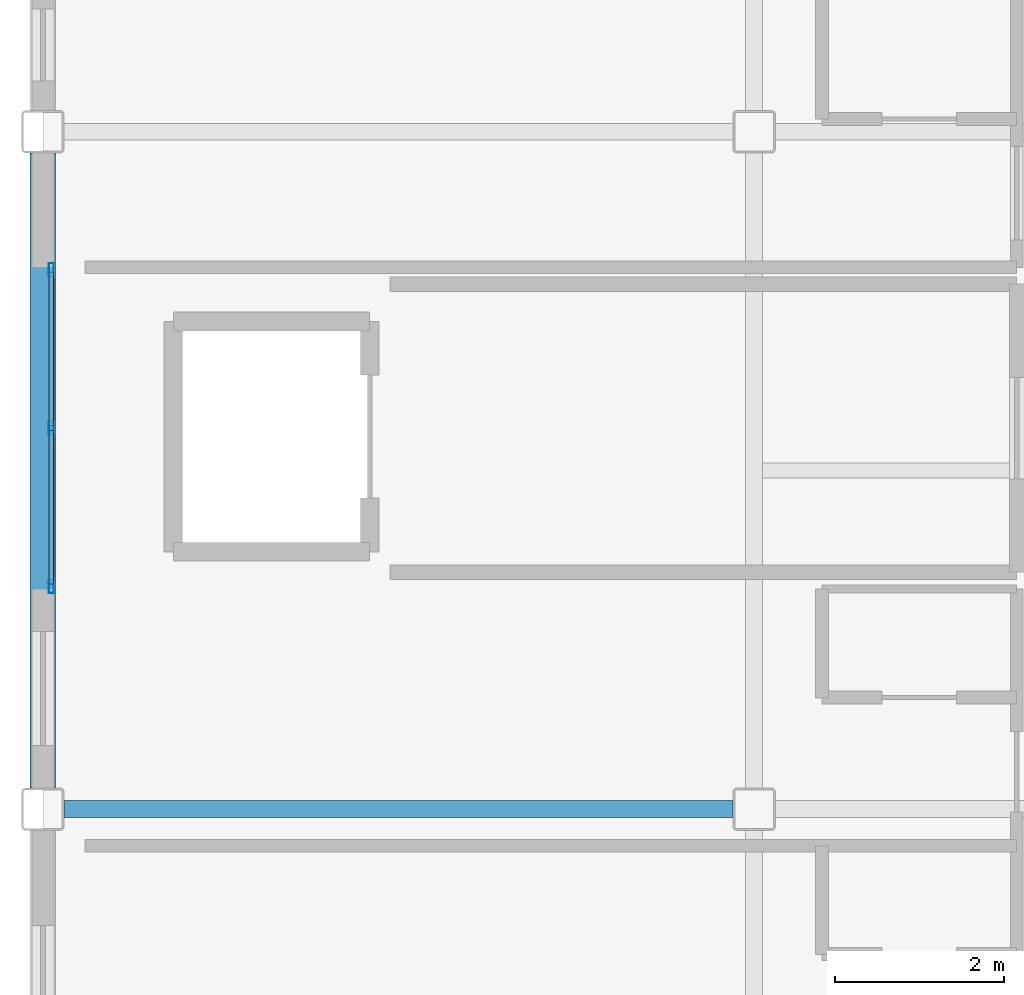
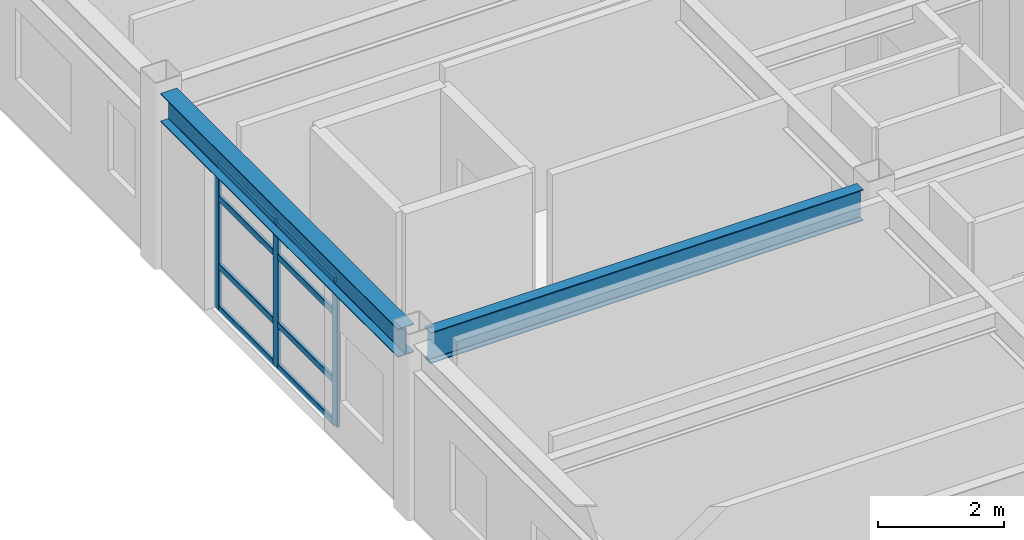
# One storey, part 8 of 33: 11 members, 2 beams, 1 element without a shape of its own.
"""IFC4 building model written with IfcOpenShell, lengths in metres."""

import ifcopenshell
import ifcopenshell.guid

model = None  # the IFC model being written
_history = None  # IfcOwnerHistory: only IFC2X3 demands one
_inside = {}  # id of a spatial element -> (the spatial element, [elements in it])
_under = {}  # id of a project, library or spatial element -> (it, [spatial elements below it])
_declared = {}  # id of a project -> (the project, [libraries it declares])
_typed = {}  # id of a type object -> (the type object, [elements of that type])
_made_of = {}  # id of a material, layer set ... -> (it, [elements and type objects made of it])


def new_model(schema):
    """Start an empty IFC model of exactly this schema.

    Asked for "IFC4X3", IfcOpenShell would pick the latest addendum, in which some entities
    have other attributes; the version numbers below select the first issue.
    IFC2X3 requires an IfcOwnerHistory on every rooted entity: one is made here for all.
    """
    global model, _history
    if schema == "IFC4X3":
        model = ifcopenshell.file(schema_version=(4, 3, 0, 0))
    else:
        model = ifcopenshell.file(schema=schema)
    _inside.clear()
    _under.clear()
    _declared.clear()
    _typed.clear()
    _made_of.clear()
    _history = None
    if model.schema == "IFC2X3":
        org = make("IfcOrganization", Name="unknown")
        user = make(
            "IfcPersonAndOrganization",
            ThePerson=make("IfcPerson", FamilyName="unknown"),
            TheOrganization=org,
        )
        app = make(
            "IfcApplication",
            ApplicationDeveloper=org,
            Version="unknown",
            ApplicationFullName="unknown",
            ApplicationIdentifier="unknown",
        )
        _history = make(
            "IfcOwnerHistory",
            OwningUser=user,
            OwningApplication=app,
            ChangeAction="ADDED",
            CreationDate=0,
        )
    return model


def make(cls, **values):
    """One entity of the class cls with the attributes given. An attribute that is None is left unset."""
    return model.create_entity(
        cls, **{name: value for name, value in values.items() if value is not None}
    )


def rooted(cls, **values):
    """An entity with a GlobalId (a new one), such as an element, a storey or a relation."""
    return make(cls, GlobalId=ifcopenshell.guid.new(), OwnerHistory=_history, **values)


def si_unit(unit_type, name, prefix=None):
    """IfcSIUnit, for example si_unit("LENGTHUNIT", "METRE", prefix="MILLI")."""
    return make("IfcSIUnit", UnitType=unit_type, Prefix=prefix, Name=name)


def assignment(units):
    """IfcUnitAssignment: the units of a project."""
    return None if units is None else make("IfcUnitAssignment", Units=units)


def point(xyz):
    """IfcCartesianPoint."""
    return None if xyz is None else make("IfcCartesianPoint", Coordinates=xyz)


def direction(xyz):
    """IfcDirection."""
    return None if xyz is None else make("IfcDirection", DirectionRatios=xyz)


def frame(location, z_axis=None, x_axis=None):
    """IfcAxis2Placement3D, a coordinate frame: its origin and axes. An axis left out is left unset."""
    return make(
        "IfcAxis2Placement3D",
        Location=point(location),
        Axis=direction(z_axis),
        RefDirection=direction(x_axis),
    )


def frame_2d(location, x_axis=None):
    """IfcAxis2Placement2D, a coordinate frame in the plane: its origin and x axis."""
    return make(
        "IfcAxis2Placement2D", Location=point(location), RefDirection=direction(x_axis)
    )


def origin():
    """The frame at (0, 0, 0) with its axes left unset."""
    return frame((0.0, 0.0, 0.0))


def origin_2d():
    """The frame at (0, 0) in the plane with its x axis left unset."""
    return frame_2d((0.0, 0.0))


def place(relative_to, where):
    """IfcLocalPlacement: puts the frame where relative to a parent placement (None: the world)."""
    return make(
        "IfcLocalPlacement", PlacementRelTo=relative_to, RelativePlacement=where
    )


def context(
    kind, dimensions, precision=None, world=None, true_north=None, identifier=None
):
    """IfcGeometricRepresentationContext, for example the 3D "Model" context."""
    return make(
        "IfcGeometricRepresentationContext",
        ContextIdentifier=identifier,
        ContextType=kind,
        CoordinateSpaceDimension=dimensions,
        Precision=precision,
        WorldCoordinateSystem=world,
        TrueNorth=true_north,
    )


def subcontext(parent, identifier, kind, view, scale=None):
    """IfcGeometricRepresentationSubContext, for example "Body" below "Model"."""
    return make(
        "IfcGeometricRepresentationSubContext",
        ContextIdentifier=identifier,
        ContextType=kind,
        ParentContext=parent,
        TargetScale=scale,
        TargetView=view,
    )


def project(units=None, contexts=None):
    """IfcProject with its units and contexts."""
    return rooted(
        "IfcProject",
        Name="project",
        RepresentationContexts=contexts,
        UnitsInContext=assignment(units),
    )


def spatial(cls, under=None, at=None, **own):
    """A site, building, storey or space (cls), placed at a placement, below another one or the project."""
    s = rooted(cls, ObjectPlacement=at, **own)
    if under is not None:
        _under.setdefault(under.id(), (under, []))[1].append(s)
    return s


def profile(cls, at=None, kind="AREA", **sizes):
    """A parametric profile (cls). Its sizes go by their IFC names, for example OverallWidth=200.0."""
    return make(cls, ProfileType=kind, Position=at, **sizes)


def hollow_rectangle(**sizes):
    """IfcRectangleHollowProfileDef."""
    return profile("IfcRectangleHollowProfileDef", **sizes)


def i_section(**sizes):
    """IfcIShapeProfileDef."""
    return profile("IfcIShapeProfileDef", **sizes)


def extrude(swept, where, along, depth):
    """IfcExtrudedAreaSolid: the profile swept, set in the frame where, extruded along a direction by depth."""
    return make(
        "IfcExtrudedAreaSolid",
        SweptArea=swept,
        Position=where,
        ExtrudedDirection=direction(along),
        Depth=depth,
    )


def shape(context_of_items, identifier, shape_type, items):
    """IfcShapeRepresentation: the items that make up one representation, for example the "Body"."""
    return make(
        "IfcShapeRepresentation",
        ContextOfItems=context_of_items,
        RepresentationIdentifier=identifier,
        RepresentationType=shape_type,
        Items=items,
    )


def material(Name=None, Category=None):
    """IfcMaterial."""
    return make("IfcMaterial", Name=Name, Category=Category)


def layer(
    of_material, thickness, ventilated=None, Name=None, Category=None, Priority=None
):
    """IfcMaterialLayer: one layer of a wall or slab, of a material (None: an air gap)."""
    return make(
        "IfcMaterialLayer",
        Material=of_material,
        LayerThickness=thickness,
        IsVentilated=ventilated,
        Name=Name,
        Category=Category,
        Priority=Priority,
    )


def layer_set(layers, Name=None):
    """IfcMaterialLayerSet."""
    return make("IfcMaterialLayerSet", MaterialLayers=layers, LayerSetName=Name)


def material_profile(
    of_material, cross_section, Name=None, Category=None, Priority=None
):
    """IfcMaterialProfile: a cross section and its material."""
    return make(
        "IfcMaterialProfile",
        Name=Name,
        Material=of_material,
        Profile=cross_section,
        Priority=Priority,
        Category=Category,
    )


def profile_set(profiles, Name=None, composite=None):
    """IfcMaterialProfileSet."""
    return make(
        "IfcMaterialProfileSet",
        Name=Name,
        MaterialProfiles=profiles,
        CompositeProfile=composite,
    )


def made_of(thing, what):
    """Note that an element or type object is made of a material, layer set ...; save() writes the relation."""
    if what is not None:
        _made_of.setdefault(what.id(), (what, []))[1].append(thing)
    return thing


def type_object(cls, material=None, **own):
    """A type object (cls), such as IfcWallType, which elements share."""
    return made_of(rooted(cls, **own), material)


def element(
    cls,
    number,
    at=None,
    inside=None,
    cuts=None,
    type_object=None,
    material=None,
    context=None,
    identifier="Body",
    shape_type=None,
    held_by="IfcProductDefinitionShape",
    body=None,
    shapes=None,
    **own,
):
    """One element of the class cls, such as IfcWall. Its Tag is "e" and its number.

    at: its placement. inside: the storey or other place that contains it. cuts: it is an
    opening in that element (IfcRelVoidsElement). A single representation is given by context,
    identifier, shape_type and body (its items); several are given by shapes. held_by: the class
    of the entity that holds the representations. save() writes the other relations.
    """
    e = rooted(cls, Tag="e%d" % number, ObjectPlacement=at, **own)
    if body is not None:
        shapes = [shape(context, identifier, shape_type, body)]
    if shapes is not None:
        e.Representation = make(held_by, Representations=shapes)
    if inside is not None:
        _inside.setdefault(inside.id(), (inside, []))[1].append(e)
    if cuts is not None:
        rooted(
            "IfcRelVoidsElement", RelatingBuildingElement=cuts, RelatedOpeningElement=e
        )
    if type_object is not None:
        _typed.setdefault(type_object.id(), (type_object, []))[1].append(e)
    return made_of(e, material)


def aggregate(whole, parts):
    """IfcRelAggregates: a whole, such as a stair, and the parts it consists of."""
    return rooted("IfcRelAggregates", RelatingObject=whole, RelatedObjects=parts)


def save(model, path):
    """Write the relations noted so far, then the file.

    IfcRelAggregates (storeys below a building ...), IfcRelContainedInSpatialStructure (elements
    in a storey), IfcRelDefinesByType, IfcRelAssociatesMaterial and IfcRelDeclares: one each for
    every whole, place, type object, material and project.
    """
    for whole, parts in _under.values():
        aggregate(whole, parts)
    for where, things in _inside.values():
        rooted(
            "IfcRelContainedInSpatialStructure",
            RelatedElements=things,
            RelatingStructure=where,
        )
    for kind, things in _typed.values():
        rooted("IfcRelDefinesByType", RelatedObjects=things, RelatingType=kind)
    for what, things in _made_of.values():
        rooted("IfcRelAssociatesMaterial", RelatedObjects=things, RelatingMaterial=what)
    for by, libraries in _declared.values():
        rooted("IfcRelDeclares", RelatingContext=by, RelatedDefinitions=libraries)
    model.write(path)


model = new_model("IFC4")

# Units and contexts
model_context = context("Model", 3, precision=1e-05, world=origin(), true_north=direction((0.0, 1.0)))
body_context = subcontext(model_context, "Body", "Model", "MODEL_VIEW")
ifc_project = project(units=[si_unit("LENGTHUNIT", "METRE"), si_unit("AREAUNIT", "SQUARE_METRE"), si_unit("VOLUMEUNIT", "CUBIC_METRE"), si_unit("PLANEANGLEUNIT", "RADIAN"), si_unit("MASSUNIT", "GRAM", prefix="KILO")], contexts=[model_context])

# Site, building, storey
site_placement = place(None, origin())
site = spatial("IfcSite", under=ifc_project, at=site_placement, CompositionType="ELEMENT")
building_placement = place(site_placement, origin())
building = spatial("IfcBuilding", under=site, at=building_placement, Name="Kazehara Bluff Congress Hotel", CompositionType="ELEMENT")
storey_placement = place(building_placement, frame((0.0, 0.0, 39.0)))
storey = spatial("IfcBuildingStorey", under=building, at=storey_placement, Name="L09", CompositionType="ELEMENT", Elevation=39.0)

# Curtain wall, members
ifc_material_1 = material(Name="Anodised aluminium", Category="aluminium")
ifc_layer = layer(ifc_material_1, 0.159912109375)
ifc_layer_set = layer_set([ifc_layer], Name="Anodised aluminium")
curtain_wall_type = type_object("IfcCurtainWallType", Name="TP-CW-176", PredefinedType="NOTDEFINED", material=ifc_layer_set)
curtain_wall_placement = place(storey_placement, origin())
curtain_wall = element("IfcCurtainWall", 1, at=curtain_wall_placement, inside=storey, type_object=curtain_wall_type, Name="L09 curtain wall CW-176 CW-ENC-V5-L09-14380-2850", PredefinedType="NOTDEFINED")
ifc_material_2 = material(Name="Anodised aluminium", Category="aluminium")
ifc_material_profile_1 = material_profile(ifc_material_2, hollow_rectangle(XDim=0.06005859375, YDim=0.159912109375, WallThickness=0.00390625, InnerFilletRadius=0.00390625, OuterFilletRadius=0.008056640625, at=origin_2d()))
ifc_profile_set_1 = profile_set([ifc_material_profile_1], Name="Anodised aluminium")
member_type_1 = type_object("IfcMemberType", Name="TP-CWM-01", PredefinedType="MULLION", material=ifc_profile_set_1)
member_1_placement = place(storey_placement, frame((143.800048828125, 26.6298828125, 0.0), z_axis=(0.0, 0.0, 1.0), x_axis=(-1.0, 0.0, 0.0)))
member_1 = element("IfcMember", 2, at=member_1_placement, type_object=member_type_1, Name="CW-176 mullion 1", PredefinedType="MULLION", context=body_context, shape_type="SweptSolid", body=[
    extrude(hollow_rectangle(XDim=0.06005859375, YDim=0.159912109375, WallThickness=0.00390625, InnerFilletRadius=0.00390625, OuterFilletRadius=0.008056640625, at=origin_2d()), origin(), (0.0, 0.0, 1.0), 2.804931640625),
])
member_2_placement = place(storey_placement, frame((143.800048828125, 28.5, 0.0), z_axis=(0.0, 0.0, 1.0), x_axis=(-1.0, 0.0, 0.0)))
member_2 = element("IfcMember", 3, at=member_2_placement, type_object=member_type_1, Name="CW-176 mullion 2", PredefinedType="MULLION", context=body_context, shape_type="SweptSolid", body=[
    extrude(hollow_rectangle(XDim=0.06005859375, YDim=0.159912109375, WallThickness=0.00390625, InnerFilletRadius=0.00390625, OuterFilletRadius=0.008056640625, at=origin_2d()), origin(), (0.0, 0.0, 1.0), 2.804931640625),
])
member_3_placement = place(storey_placement, frame((143.800048828125, 30.3701171875, 0.0), z_axis=(0.0, 0.0, 1.0), x_axis=(-1.0, 0.0, 0.0)))
member_3 = element("IfcMember", 4, at=member_3_placement, type_object=member_type_1, Name="CW-176 mullion 3", PredefinedType="MULLION", context=body_context, shape_type="SweptSolid", body=[
    extrude(hollow_rectangle(XDim=0.06005859375, YDim=0.159912109375, WallThickness=0.00390625, InnerFilletRadius=0.00390625, OuterFilletRadius=0.008056640625, at=origin_2d()), origin(), (0.0, 0.0, 1.0), 2.804931640625),
])
ifc_material_3 = material(Name="Anodised aluminium", Category="aluminium")
ifc_material_profile_2 = material_profile(ifc_material_3, hollow_rectangle(XDim=0.06005859375, YDim=0.1201171875, WallThickness=0.00390625, InnerFilletRadius=0.00390625, OuterFilletRadius=0.008056640625, at=origin_2d()))
ifc_profile_set_2 = profile_set([ifc_material_profile_2], Name="Anodised aluminium")
member_type_2 = type_object("IfcMemberType", Name="TP-CWT-01", PredefinedType="USERDEFINED", material=ifc_profile_set_2)
member_4_placement = place(storey_placement, frame((143.800048828125, 26.659912109375, 0.030029296875), z_axis=(0.0, 1.0, 0.0), x_axis=(-1.0, 0.0, 0.0)))
member_4 = element("IfcMember", 5, at=member_4_placement, type_object=member_type_2, Name="CW-176 transom 1.1", ObjectType="TRANSOM", PredefinedType="USERDEFINED", context=body_context, shape_type="SweptSolid", body=[
    extrude(hollow_rectangle(XDim=0.06005859375, YDim=0.1201171875, WallThickness=0.00390625, InnerFilletRadius=0.00390625, OuterFilletRadius=0.008056640625, at=origin_2d()), origin(), (0.0, 0.0, 1.0), 1.81005859375),
])
member_5_placement = place(storey_placement, frame((143.800048828125, 26.659912109375, 0.840087890625), z_axis=(0.0, 1.0, 0.0), x_axis=(-1.0, 0.0, 0.0)))
member_5 = element("IfcMember", 6, at=member_5_placement, type_object=member_type_2, Name="CW-176 transom 1.2", ObjectType="TRANSOM", PredefinedType="USERDEFINED", context=body_context, shape_type="SweptSolid", body=[
    extrude(hollow_rectangle(XDim=0.06005859375, YDim=0.1201171875, WallThickness=0.00390625, InnerFilletRadius=0.00390625, OuterFilletRadius=0.008056640625, at=origin_2d()), origin(), (0.0, 0.0, 1.0), 1.81005859375),
])
member_6_placement = place(storey_placement, frame((143.800048828125, 26.659912109375, 2.155029296875), z_axis=(0.0, 1.0, 0.0), x_axis=(-1.0, 0.0, 0.0)))
member_6 = element("IfcMember", 7, at=member_6_placement, type_object=member_type_2, Name="CW-176 transom 1.3", ObjectType="TRANSOM", PredefinedType="USERDEFINED", context=body_context, shape_type="SweptSolid", body=[
    extrude(hollow_rectangle(XDim=0.06005859375, YDim=0.1201171875, WallThickness=0.00390625, InnerFilletRadius=0.00390625, OuterFilletRadius=0.008056640625, at=origin_2d()), origin(), (0.0, 0.0, 1.0), 1.81005859375),
])
member_7_placement = place(storey_placement, frame((143.800048828125, 26.659912109375, 2.77490234375), z_axis=(0.0, 1.0, 0.0), x_axis=(-1.0, 0.0, 0.0)))
member_7 = element("IfcMember", 8, at=member_7_placement, type_object=member_type_2, Name="CW-176 transom 1.4", ObjectType="TRANSOM", PredefinedType="USERDEFINED", context=body_context, shape_type="SweptSolid", body=[
    extrude(hollow_rectangle(XDim=0.06005859375, YDim=0.1201171875, WallThickness=0.00390625, InnerFilletRadius=0.00390625, OuterFilletRadius=0.008056640625, at=origin_2d()), origin(), (0.0, 0.0, 1.0), 1.81005859375),
])
member_8_placement = place(storey_placement, frame((143.800048828125, 28.530029296875, 0.030029296875), z_axis=(0.0, 1.0, 0.0), x_axis=(-1.0, 0.0, 0.0)))
member_8 = element("IfcMember", 9, at=member_8_placement, type_object=member_type_2, Name="CW-176 transom 2.1", ObjectType="TRANSOM", PredefinedType="USERDEFINED", context=body_context, shape_type="SweptSolid", body=[
    extrude(hollow_rectangle(XDim=0.06005859375, YDim=0.1201171875, WallThickness=0.00390625, InnerFilletRadius=0.00390625, OuterFilletRadius=0.008056640625, at=origin_2d()), origin(), (0.0, 0.0, 1.0), 1.81005859375),
])
member_9_placement = place(storey_placement, frame((143.800048828125, 28.530029296875, 0.840087890625), z_axis=(0.0, 1.0, 0.0), x_axis=(-1.0, 0.0, 0.0)))
member_9 = element("IfcMember", 10, at=member_9_placement, type_object=member_type_2, Name="CW-176 transom 2.2", ObjectType="TRANSOM", PredefinedType="USERDEFINED", context=body_context, shape_type="SweptSolid", body=[
    extrude(hollow_rectangle(XDim=0.06005859375, YDim=0.1201171875, WallThickness=0.00390625, InnerFilletRadius=0.00390625, OuterFilletRadius=0.008056640625, at=origin_2d()), origin(), (0.0, 0.0, 1.0), 1.81005859375),
])
member_10_placement = place(storey_placement, frame((143.800048828125, 28.530029296875, 2.155029296875), z_axis=(0.0, 1.0, 0.0), x_axis=(-1.0, 0.0, 0.0)))
member_10 = element("IfcMember", 11, at=member_10_placement, type_object=member_type_2, Name="CW-176 transom 2.3", ObjectType="TRANSOM", PredefinedType="USERDEFINED", context=body_context, shape_type="SweptSolid", body=[
    extrude(hollow_rectangle(XDim=0.06005859375, YDim=0.1201171875, WallThickness=0.00390625, InnerFilletRadius=0.00390625, OuterFilletRadius=0.008056640625, at=origin_2d()), origin(), (0.0, 0.0, 1.0), 1.81005859375),
])
member_11_placement = place(storey_placement, frame((143.800048828125, 28.530029296875, 2.77490234375), z_axis=(0.0, 1.0, 0.0), x_axis=(-1.0, 0.0, 0.0)))
member_11 = element("IfcMember", 12, at=member_11_placement, type_object=member_type_2, Name="CW-176 transom 2.4", ObjectType="TRANSOM", PredefinedType="USERDEFINED", context=body_context, shape_type="SweptSolid", body=[
    extrude(hollow_rectangle(XDim=0.06005859375, YDim=0.1201171875, WallThickness=0.00390625, InnerFilletRadius=0.00390625, OuterFilletRadius=0.008056640625, at=origin_2d()), origin(), (0.0, 0.0, 1.0), 1.81005859375),
])
aggregate(curtain_wall, [member_1, member_2, member_3, member_4, member_5, member_6, member_7, member_8, member_9, member_10, member_11])

# Beams
ifc_material_4 = material(Name="Steel SN490B", Category="steel")
ifc_material_profile_3 = material_profile(ifc_material_4, i_section(OverallWidth=0.199951171875, OverallDepth=0.60009765625, WebThickness=0.010986328125, FlangeThickness=0.01708984375, FilletRadius=0.012939453125, at=origin_2d()))
ifc_profile_set_3 = profile_set([ifc_material_profile_3], Name="Steel SN490B")
beam_type_1 = type_object("IfcBeamType", Name="TP-G-02", PredefinedType="BEAM", material=ifc_profile_set_3)
beam_1_placement = place(storey_placement, frame((143.949951171875, 24.0, 3.080078125), z_axis=(1.0, 0.0, 0.0), x_axis=(0.0, 1.0, 0.0)))
element("IfcBeam", 13, at=beam_1_placement, inside=storey, type_object=beam_type_1, Name="L09 girder G-02 42", PredefinedType="BEAM", context=body_context, shape_type="SweptSolid", body=[
    extrude(i_section(OverallWidth=0.199951171875, OverallDepth=0.60009765625, WebThickness=0.010986328125, FlangeThickness=0.01708984375, FilletRadius=0.012939453125, at=origin_2d()), origin(), (0.0, 0.0, 1.0), 7.900146484375),
])
ifc_material_5 = material(Name="Steel SN490B", Category="steel")
ifc_material_profile_4 = material_profile(ifc_material_5, i_section(OverallWidth=0.300048828125, OverallDepth=0.550048828125, WebThickness=0.010986328125, FlangeThickness=0.01806640625, FilletRadius=0.012939453125, at=origin_2d()))
ifc_profile_set_4 = profile_set([ifc_material_profile_4], Name="Steel SN490B")
beam_type_2 = type_object("IfcBeamType", Name="TP-SP-01", PredefinedType="SPANDREL", material=ifc_profile_set_4)
beam_2_placement = place(storey_placement, frame((143.699951171875, 24.25, 3.10498046875), z_axis=(0.0, 1.0, 0.0), x_axis=(-1.0, 0.0, 0.0)))
element("IfcBeam", 14, at=beam_2_placement, inside=storey, type_object=beam_type_2, Name="L09 girder SP-01 3", PredefinedType="SPANDREL", context=body_context, shape_type="SweptSolid", body=[
    extrude(i_section(OverallWidth=0.300048828125, OverallDepth=0.550048828125, WebThickness=0.010986328125, FlangeThickness=0.01806640625, FilletRadius=0.012939453125, at=origin_2d()), origin(), (0.0, 0.0, 1.0), 7.5),
])

save(model, "model.ifc")
